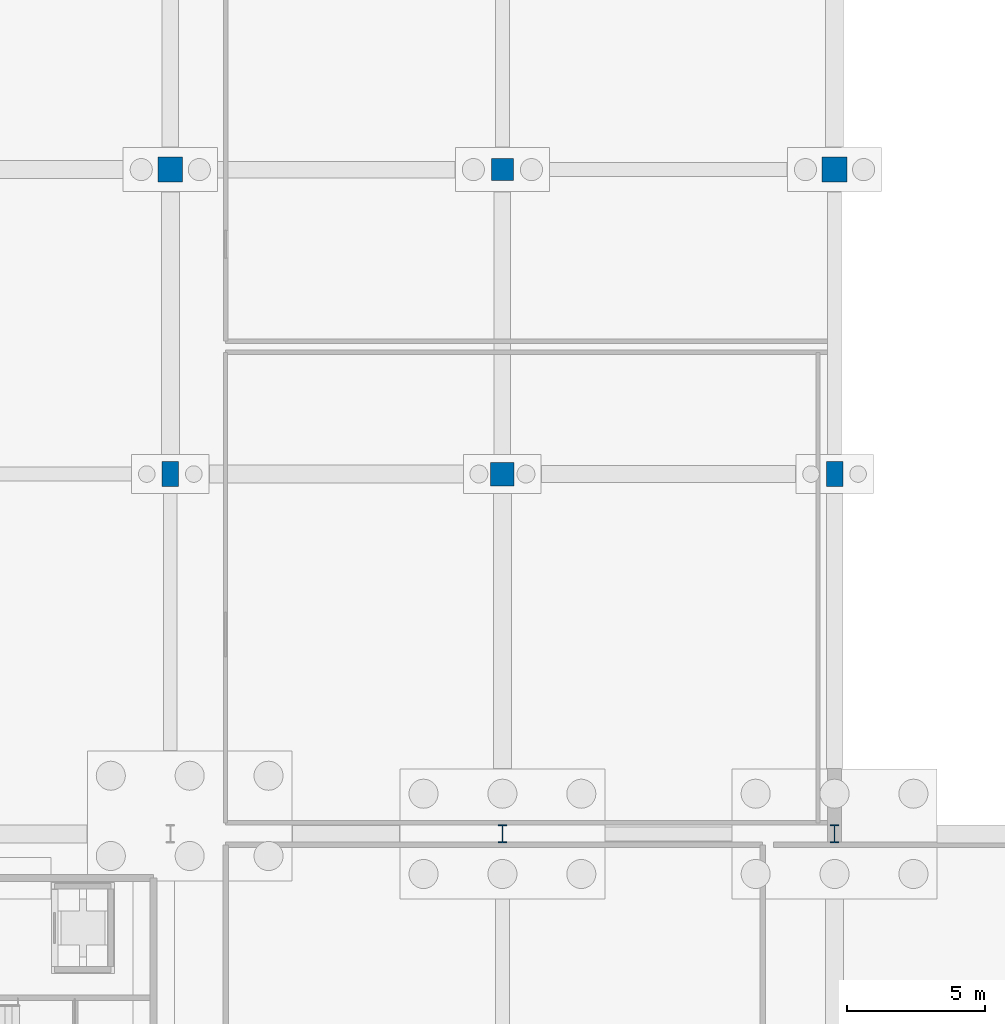
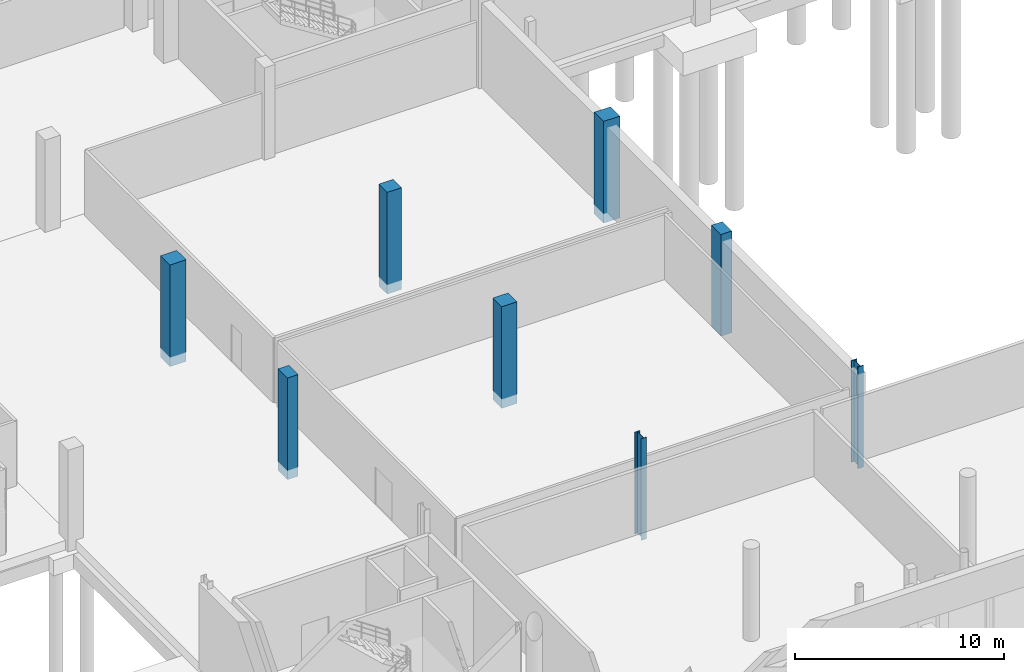
# One storey, part 18 of 42: 8 columns.
"""IFC4 building model written with IfcOpenShell, lengths in metres."""

from ifc_helpers import new_model, si_unit, direction, frame, origin, origin_2d, place, context, subcontext, project, spatial, rectangle, i_section, extrude, material, material_profile, profile_set, type_object, element, save


model = new_model("IFC4")

# Units and contexts
model_context = context("Model", 3, precision=1e-05, world=origin(), true_north=direction((0.0, 1.0)))
body_context = subcontext(model_context, "Body", "Model", "MODEL_VIEW")
ifc_project = project(units=[si_unit("LENGTHUNIT", "METRE"), si_unit("AREAUNIT", "SQUARE_METRE"), si_unit("VOLUMEUNIT", "CUBIC_METRE"), si_unit("PLANEANGLEUNIT", "RADIAN"), si_unit("MASSUNIT", "GRAM", prefix="KILO"), si_unit("THERMODYNAMICTEMPERATUREUNIT", "KELVIN"), si_unit("POWERUNIT", "WATT")], contexts=[model_context])

# Site, building, storey
site_placement = place(None, origin())
site = spatial("IfcSite", under=ifc_project, at=site_placement, CompositionType="ELEMENT")
building_placement = place(site_placement, origin())
building = spatial("IfcBuilding", under=site, at=building_placement, Name="Solmara Park Aquatics Centre", CompositionType="ELEMENT")
storey_placement = place(building_placement, frame((0.0, 0.0, -5.39990234375)))
storey = spatial("IfcBuildingStorey", under=building, at=storey_placement, Name="B1", CompositionType="ELEMENT", Elevation=-5.39990234375)

# Columns
ifc_material_1 = material(Name="Structural Steel S355", Category="steel")
ifc_material_profile_1 = material_profile(ifc_material_1, i_section(OverallWidth=0.300048828125, OverallDepth=0.64990234375, WebThickness=0.01611328125, FlangeThickness=0.031005859375, FilletRadius=0.027099609375, at=origin_2d()), Name="HEB 650")
ifc_profile_set_1 = profile_set([ifc_material_profile_1], Name="Structural Steel S355")
column_type_1 = type_object("IfcColumnType", Name="STR-COL-HEB650", PredefinedType="COLUMN", material=ifc_profile_set_1)
for number, where, z_axis, x_axis, name in (
    (1, (48.60009765625, 72.60009765625, -0.550048828125), (0.0, 0.0, 1.0), (1.0, 0.0, 0.0), "Column B1-0033"),
    (2, (60.60009765625, 72.60009765625, -0.550048828125), (0.0, 0.0, 1.0), (1.0, 0.0, 0.0), "Column B1-0043"),
):
    element("IfcColumn", number, at=place(storey_placement, frame(where, z_axis=z_axis, x_axis=x_axis)), inside=storey, type_object=column_type_1, Name=name, PredefinedType="COLUMN", context=body_context, shape_type="SweptSolid", body=[
        extrude(i_section(OverallWidth=0.300048828125, OverallDepth=0.64990234375, WebThickness=0.01611328125, FlangeThickness=0.031005859375, FilletRadius=0.027099609375, at=origin_2d()), origin(), (0.0, 0.0, 1.0), 5.949951171875),
    ])
ifc_material_2 = material(Name="Concrete C40/50", Category="concrete")
ifc_material_profile_2 = material_profile(ifc_material_2, rectangle(XDim=0.60009765625, YDim=0.89990234375, at=origin_2d()), Name="RC 600x900")
ifc_profile_set_2 = profile_set([ifc_material_profile_2], Name="Concrete C40/50")
column_type_2 = type_object("IfcColumnType", Name="STR-COL-RC600x900", PredefinedType="COLUMN", material=ifc_profile_set_2)
for number, where, z_axis, x_axis, name in (
    (3, (36.60009765625, 85.60009765625, -0.550048828125), (0.0, 0.0, 1.0), (1.0, 0.0, 0.0), "Column B1-0024"),
    (4, (60.60009765625, 85.60009765625, -0.550048828125), (0.0, 0.0, 1.0), (1.0, 0.0, 0.0), "Column B1-0044"),
):
    element("IfcColumn", number, at=place(storey_placement, frame(where, z_axis=z_axis, x_axis=x_axis)), inside=storey, type_object=column_type_2, Name=name, PredefinedType="COLUMN", context=body_context, shape_type="SweptSolid", body=[
        extrude(rectangle(XDim=0.60009765625, YDim=0.89990234375, at=origin_2d()), origin(), (0.0, 0.0, 1.0), 5.949951171875),
    ])
ifc_material_profile_3 = material_profile(ifc_material_2, rectangle(XDim=0.800048828125, YDim=0.800048828125, at=origin_2d()), Name="RC 800x800")
ifc_profile_set_3 = profile_set([ifc_material_profile_3], Name="Concrete C40/50")
column_type_3 = type_object("IfcColumnType", Name="STR-COL-RC800", PredefinedType="COLUMN", material=ifc_profile_set_3)
column_1_placement = place(storey_placement, frame((48.60009765625, 96.60009765625, -0.550048828125), z_axis=(0.0, 0.0, 1.0), x_axis=(1.0, 0.0, 0.0)))
element("IfcColumn", 5, at=column_1_placement, inside=storey, type_object=column_type_3, Name="Column B1-0035", PredefinedType="COLUMN", context=body_context, shape_type="SweptSolid", body=[
    extrude(rectangle(XDim=0.800048828125, YDim=0.800048828125, at=origin_2d()), origin(), (0.0, 0.0, 1.0), 5.949951171875),
])
ifc_material_profile_4 = material_profile(ifc_material_2, rectangle(XDim=0.85009765625, YDim=0.85009765625, at=origin_2d()), Name="RC 850x850")
ifc_profile_set_4 = profile_set([ifc_material_profile_4], Name="Concrete C40/50")
column_type_4 = type_object("IfcColumnType", Name="STR-COL-RC850", PredefinedType="COLUMN", material=ifc_profile_set_4)
column_2_placement = place(storey_placement, frame((48.60009765625, 85.60009765625, -0.550048828125), z_axis=(0.0, 0.0, 1.0), x_axis=(1.0, 0.0, 0.0)))
element("IfcColumn", 6, at=column_2_placement, inside=storey, type_object=column_type_4, Name="Column B1-0034", PredefinedType="COLUMN", context=body_context, shape_type="SweptSolid", body=[
    extrude(rectangle(XDim=0.85009765625, YDim=0.85009765625, at=origin_2d()), origin(), (0.0, 0.0, 1.0), 5.949951171875),
])
ifc_material_profile_5 = material_profile(ifc_material_2, rectangle(XDim=0.89990234375, YDim=0.89990234375, at=origin_2d()), Name="RC 900x900")
ifc_profile_set_5 = profile_set([ifc_material_profile_5], Name="Concrete C40/50")
column_type_5 = type_object("IfcColumnType", Name="STR-COL-RC900", PredefinedType="COLUMN", material=ifc_profile_set_5)
for number, where, z_axis, x_axis, name in (
    (7, (36.60009765625, 96.60009765625, -0.550048828125), (0.0, 0.0, 1.0), (1.0, 0.0, 0.0), "Column B1-0025"),
    (8, (60.60009765625, 96.60009765625, -0.550048828125), (0.0, 0.0, 1.0), (1.0, 0.0, 0.0), "Column B1-0045"),
):
    element("IfcColumn", number, at=place(storey_placement, frame(where, z_axis=z_axis, x_axis=x_axis)), inside=storey, type_object=column_type_5, Name=name, PredefinedType="COLUMN", context=body_context, shape_type="SweptSolid", body=[
        extrude(rectangle(XDim=0.89990234375, YDim=0.89990234375, at=origin_2d()), origin(), (0.0, 0.0, 1.0), 5.949951171875),
    ])

save(model, "model.ifc")
